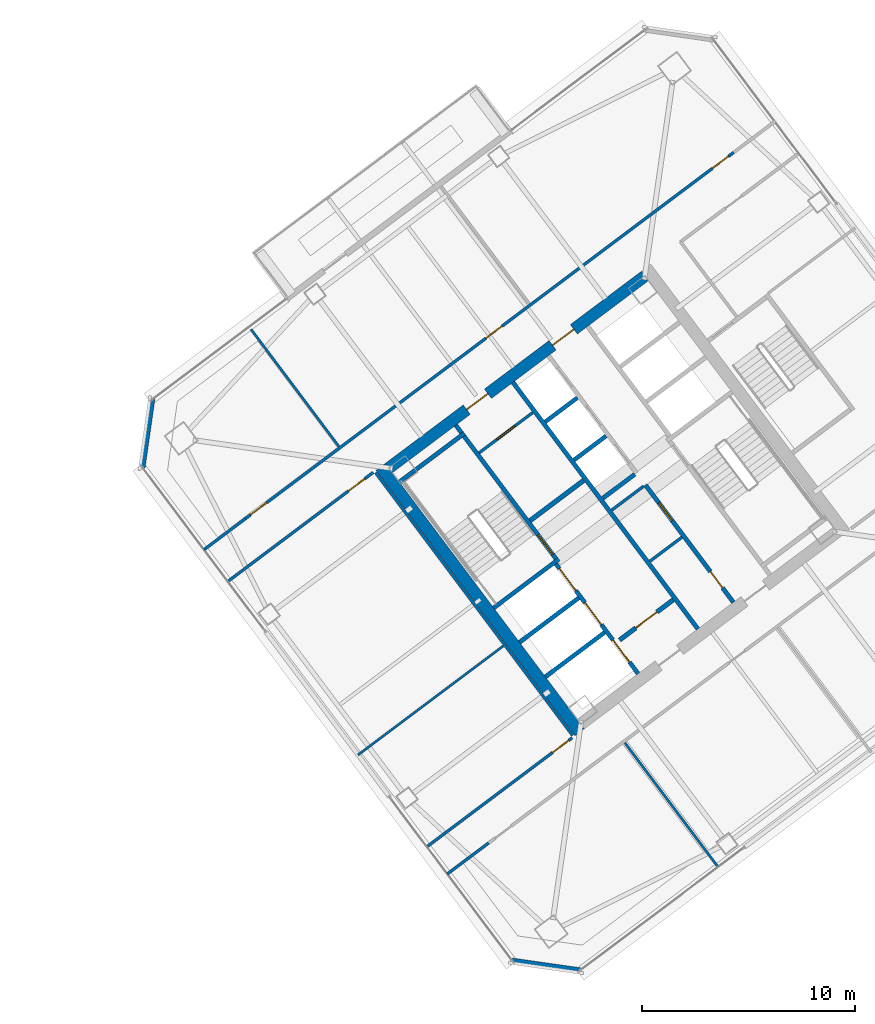
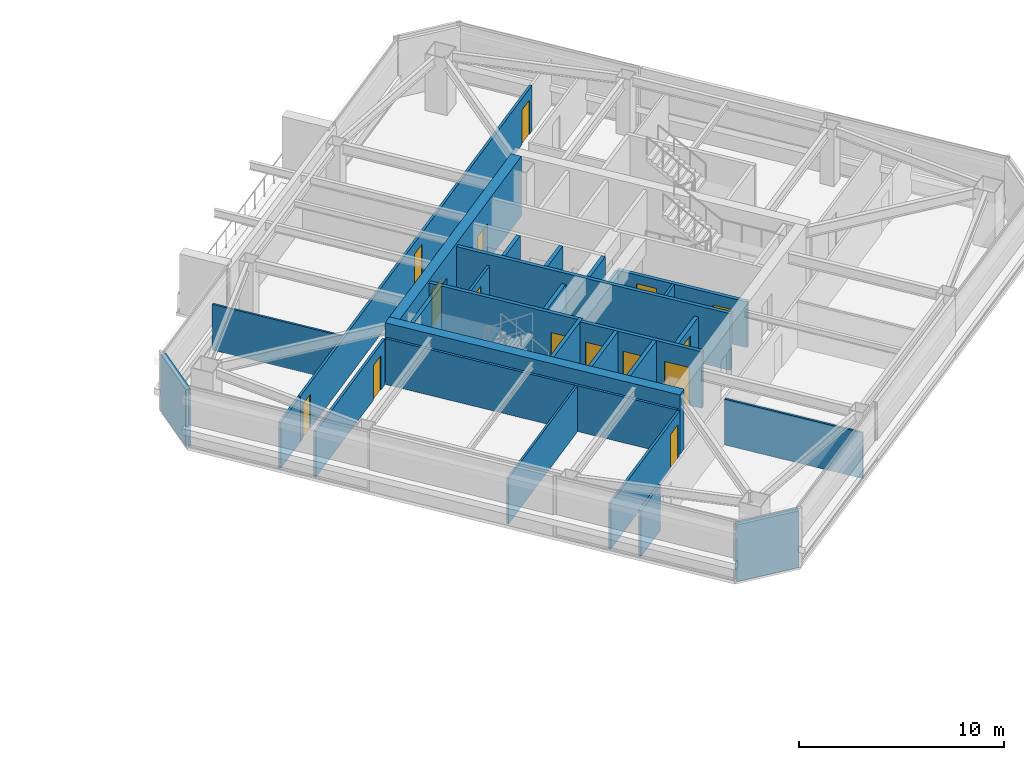
# One storey, part 33 of 41: 29 walls, 15 doors, 15 openings.
"""IFC4 building model written with IfcOpenShell, lengths in metres."""

from ifc_helpers import new_model, si_unit, direction, frame, frame_2d, origin, place, context, subcontext, project, spatial, rectangle, extrude, material, layer, layer_set, type_object, element, fill, save


model = new_model("IFC4")

# Units and contexts
model_context = context("Model", 3, precision=1e-05, world=origin(), true_north=direction((0.0, 1.0)))
body_context = subcontext(model_context, "Body", "Model", "MODEL_VIEW")
ifc_project = project(units=[si_unit("LENGTHUNIT", "METRE"), si_unit("AREAUNIT", "SQUARE_METRE"), si_unit("VOLUMEUNIT", "CUBIC_METRE"), si_unit("PLANEANGLEUNIT", "RADIAN"), si_unit("MASSUNIT", "GRAM", prefix="KILO")], contexts=[model_context])

# Site, building, storey
site_placement = place(None, origin())
site = spatial("IfcSite", under=ifc_project, at=site_placement, CompositionType="ELEMENT")
building_placement = place(site_placement, origin())
building = spatial("IfcBuilding", under=site, at=building_placement, Name="Tashvorn Skyway Center", CompositionType="ELEMENT")
storey_placement = place(building_placement, frame((0.0, 0.0, 192.5)))
storey = spatial("IfcBuildingStorey", under=building, at=storey_placement, Name="L52", CompositionType="ELEMENT", Elevation=192.5)

# Wall
ifc_material_1 = material(Name="Concrete C60/75", Category="concrete")
ifc_layer_1 = layer(ifc_material_1, 0.550048828125)
ifc_layer_set_1 = layer_set([ifc_layer_1], Name="Concrete C60/75")
wall_type_1 = type_object("IfcWallType", Name="WALL-CORE-550", PredefinedType="SHEAR", material=ifc_layer_set_1)
wall_1_placement = place(storey_placement, frame((112.43603515625, 21.076904296875, 0.0), z_axis=(0.0, 0.0, 1.0), x_axis=(-0.600005007985, 0.799996243986, 0.0)))
element("IfcWall", 1, at=wall_1_placement, inside=storey, type_object=wall_type_1, Name="Tower 2 L52 West Core Shear Wall", PredefinedType="SHEAR", context=body_context, shape_type="SweptSolid", body=[
    extrude(rectangle(XDim=15.60009765625, YDim=0.550048828125, at=frame_2d((7.800048828125, 0.0))), origin(), (0.0, 0.0, 1.0), 3.550048828125),
])

# Wall, openings, doors
wall_2_placement = place(storey_placement, frame((103.4609375, 33.501953125, 0.0), z_axis=(0.0, 0.0, 1.0), x_axis=(0.799998054672, 0.600002593761, 0.0)))
wall_2 = element("IfcWall", 2, at=wall_2_placement, inside=storey, type_object=wall_type_1, Name="Tower 2 L52 North Core Shear Wall", PredefinedType="SHEAR", context=body_context, shape_type="SweptSolid", body=[
    extrude(rectangle(XDim=15.06005859375, YDim=0.550048828125, at=frame_2d((7.530029296875, 0.0))), origin(), (0.0, 0.0, 1.0), 3.550048828125),
])
opening_1_placement = place(wall_2_placement, frame((4.580078125, 0.0, 0.0)))
opening_1 = element("IfcOpeningElement", 3, at=opening_1_placement, cuts=wall_2, Name="Opening D-FFL-1250", PredefinedType="OPENING", context=body_context, shape_type="SweptSolid", body=[
    extrude(rectangle(XDim=1.25, YDim=2.25, at=frame_2d((0.625, 1.125))), frame((0.0, 0.284912109375, 0.0), z_axis=(0.0, -1.0, 0.0), x_axis=(1.0, 0.0, 0.0)), (0.0, 0.0, 1.0), 0.570068359375),
])
opening_2_placement = place(wall_2_placement, frame((9.6298828125, 0.0, 0.0)))
opening_2 = element("IfcOpeningElement", 4, at=opening_2_placement, cuts=wall_2, Name="Opening D-FFL-1250", PredefinedType="OPENING", context=body_context, shape_type="SweptSolid", body=[
    extrude(rectangle(XDim=1.25, YDim=2.25, at=frame_2d((0.625, 1.125))), frame((0.0, 0.284912109375, 0.0), z_axis=(0.0, -1.0, 0.0), x_axis=(1.0, 0.0, 0.0)), (0.0, 0.0, 1.0), 0.570068359375),
])
ifc_material_2 = material(Name="Hollow galvanized steel fire door assembly", Category="steel")
door_type_1 = type_object("IfcDoorType", Name="DOOR-FFL-1250", OperationType="NOTDEFINED", PredefinedType="DOOR", material=ifc_material_2)
door_1_placement = place(opening_1_placement, origin())
door_1 = element("IfcDoor", 5, at=door_1_placement, inside=storey, type_object=door_type_1, Name="Tower 2 L52 Core North Service Lobby Door", OperationType="SINGLE_SWING_LEFT", OverallHeight=2.25, OverallWidth=1.25, PredefinedType="DOOR", context=body_context, shape_type="SweptSolid", body=[
    extrude(rectangle(XDim=1.25, YDim=2.25, at=frame_2d((0.625, 1.125))), frame((0.0, 0.02490234375, 0.0), z_axis=(0.0, -1.0, 0.0), x_axis=(1.0, 0.0, 0.0)), (0.0, 0.0, 1.0), 0.050048828125),
])
fill(opening_1, door_1)
door_2_placement = place(opening_2_placement, origin())
door_2 = element("IfcDoor", 6, at=door_2_placement, inside=storey, type_object=door_type_1, Name="Tower 2 L52 Core North Lift Lobby Door", OperationType="SINGLE_SWING_RIGHT", OverallHeight=2.25, OverallWidth=1.25, PredefinedType="DOOR", context=body_context, shape_type="SweptSolid", body=[
    extrude(rectangle(XDim=1.25, YDim=2.25, at=frame_2d((0.625, 1.125))), frame((0.0, 0.02490234375, 0.0), z_axis=(0.0, -1.0, 0.0), x_axis=(1.0, 0.0, 0.0)), (0.0, 0.0, 1.0), 0.050048828125),
])
fill(opening_2, door_2)

# Walls
ifc_material_3 = material(Name="Precast concrete C40/50", Category="concrete")
ifc_layer_2 = layer(ifc_material_3, 0.280029296875)
ifc_layer_set_2 = layer_set([ifc_layer_2], Name="Precast concrete C40/50")
wall_type_2 = type_object("IfcWallType", Name="WALL-EXT-280", PredefinedType="SOLIDWALL", material=ifc_layer_set_2)
for number, where, z_axis, x_axis, name in (
    (7, (112.47998046875, 9.860107421875, 0.0), (0.0, 0.0, 1.0), (-0.989950994782, 0.141410847992, 0.0), "Tower 2 L52 SW Precast Chamfer Wall"),
    (8, (91.860107421875, 33.52001953125, 0.0), (0.0, 0.0, 1.0), (0.141410847992, 0.989950994782, 0.0), "Tower 2 L52 NW Precast Chamfer Wall"),
):
    element("IfcWall", number, at=place(storey_placement, frame(where, z_axis=z_axis, x_axis=x_axis)), inside=storey, type_object=wall_type_2, Name=name, PredefinedType="SOLIDWALL", context=body_context, shape_type="SweptSolid", body=[
        extrude(rectangle(XDim=3.252685546875, YDim=0.280029296875, at=frame_2d((1.62646484375, 0.0))), origin(), (0.0, 0.0, 1.0), 3.3701171875),
    ])
ifc_material_4 = material(Name="Concrete C40/50", Category="concrete")
ifc_layer_3 = layer(ifc_material_4, 0.219970703125)
ifc_layer_set_3 = layer_set([ifc_layer_3], Name="Concrete C40/50")
wall_type_3 = type_object("IfcWallType", Name="WALL-FFL-220", PredefinedType="SOLIDWALL", material=ifc_layer_set_3)
wall_3_placement = place(storey_placement, frame((110.10400390625, 31.028076171875, 0.0), z_axis=(0.0, 0.0, 1.0), x_axis=(0.800018601094, 0.59997519774, 0.0)))
element("IfcWall", 9, at=wall_3_placement, inside=storey, type_object=wall_type_3, Name="Tower 2 L52 Firefighting Lobby North Wall", PredefinedType="SOLIDWALL", context=body_context, shape_type="SweptSolid", body=[
    extrude(rectangle(XDim=3.14990234375, YDim=0.219970703125, at=frame_2d((1.574951171875, 0.0))), origin(), (0.0, 0.0, 1.0), 2.722900390625),
])

# Wall, opening, door
wall_4_placement = place(storey_placement, frame((114.31591796875, 25.412109375, 0.0), z_axis=(0.0, 0.0, 1.0), x_axis=(0.800018601094, 0.59997519774, 0.0)))
wall_4 = element("IfcWall", 10, at=wall_4_placement, inside=storey, type_object=wall_type_3, Name="Tower 2 L52 Firefighting Lobby South Wall", PredefinedType="SOLIDWALL", context=body_context, shape_type="SweptSolid", body=[
    extrude(rectangle(XDim=3.14990234375, YDim=0.219970703125, at=frame_2d((1.574951171875, 0.0))), origin(), (0.0, 0.0, 1.0), 2.722900390625),
])
opening_3_placement = place(wall_4_placement, frame((0.949951171875, 0.0, 0.0)))
opening_3 = element("IfcOpeningElement", 11, at=opening_3_placement, cuts=wall_4, Name="Opening D-FFL-1250", PredefinedType="OPENING", context=body_context, shape_type="SweptSolid", body=[
    extrude(rectangle(XDim=1.25, YDim=2.25, at=frame_2d((0.625, 1.125))), frame((0.0, 0.119873046875, 0.0), z_axis=(0.0, -1.0, 0.0), x_axis=(1.0, 0.0, 0.0)), (0.0, 0.0, 1.0), 0.239990234375),
])
door_3_placement = place(opening_3_placement, origin())
door_3 = element("IfcDoor", 12, at=door_3_placement, inside=storey, type_object=door_type_1, Name="Tower 2 L52 Firefighting Lobby Egress Door", OperationType="SINGLE_SWING_LEFT", OverallHeight=2.25, OverallWidth=1.25, PredefinedType="DOOR", context=body_context, shape_type="SweptSolid", body=[
    extrude(rectangle(XDim=1.25, YDim=2.25, at=frame_2d((0.625, 1.125))), frame((0.0, 0.02490234375, 0.0), z_axis=(0.0, -1.0, 0.0), x_axis=(1.0, 0.0, 0.0)), (0.0, 0.0, 1.0), 0.050048828125),
])
fill(opening_3, door_3)

# Walls
ifc_material_5 = material(Name="Gypsum board on cold-formed steel stud framing", Category="steel")
ifc_layer_4 = layer(ifc_material_5, 0.110107421875)
ifc_layer_set_4 = layer_set([ifc_layer_4], Name="Gypsum board on cold-formed steel stud framing")
wall_type_4 = type_object("IfcWallType", Name="WALL-PART-110", PredefinedType="PARTITIONING", material=ifc_layer_set_4)
wall_5_placement = place(storey_placement, frame((101.110107421875, 34.52001953125, 0.0), z_axis=(0.0, 0.0, 1.0), x_axis=(-0.600022710417, 0.799982966683, 0.0)))
element("IfcWall", 13, at=wall_5_placement, inside=storey, type_object=wall_type_4, Name="Tower 2 L52 North Suite Partition 1", PredefinedType="PARTITIONING", context=body_context, shape_type="SweptSolid", body=[
    extrude(rectangle(XDim=6.880126953125, YDim=0.110107421875, at=frame_2d((3.43994140625, 0.0))), origin(), (0.0, 0.0, 1.0), 2.722900390625),
])
wall_6_placement = place(storey_placement, frame((118.947998046875, 14.736083984375, 0.0), z_axis=(0.0, 0.0, 1.0), x_axis=(-0.6, 0.8, 0.0)))
element("IfcWall", 14, at=wall_6_placement, inside=storey, type_object=wall_type_4, Name="Tower 2 L52 South Suite Partition 1", PredefinedType="PARTITIONING", context=body_context, shape_type="SweptSolid", body=[
    extrude(rectangle(XDim=7.2998046875, YDim=0.110107421875, at=frame_2d((3.64990234375, 0.0))), origin(), (0.0, 0.0, 1.0), 2.722900390625),
])
wall_7_placement = place(storey_placement, frame((102.01611328125, 20.011962890625, 0.0), z_axis=(0.0, 0.0, 1.0), x_axis=(0.799989708052, 0.600013722352, 0.0)))
element("IfcWall", 15, at=wall_7_placement, inside=storey, type_object=wall_type_4, Name="Tower 2 L52 West Mid Partition", PredefinedType="PARTITIONING", context=body_context, shape_type="SweptSolid", body=[
    extrude(rectangle(XDim=8.539794921875, YDim=0.110107421875, at=frame_2d((4.27001953125, 0.0))), origin(), (0.0, 0.0, 1.0), 2.722900390625),
])

# Wall, openings, doors
ifc_layer_5 = layer(ifc_material_5, 0.135009765625)
ifc_layer_set_5 = layer_set([ifc_layer_5], Name="Gypsum board on cold-formed steel stud framing")
wall_type_5 = type_object("IfcWallType", Name="WALL-PART-135", PredefinedType="PARTITIONING", material=ifc_layer_set_5)
wall_8_placement = place(storey_placement, frame((96.718017578125, 31.1259765625, 0.0), z_axis=(0.0, 0.0, 1.0), x_axis=(0.8, 0.6, 0.0)))
wall_8 = element("IfcWall", 16, at=wall_8_placement, inside=storey, type_object=wall_type_5, Name="Tower 2 L52 North Suite Wall", PredefinedType="PARTITIONING", context=body_context, shape_type="SweptSolid", body=[
    extrude(rectangle(XDim=28.699951171875, YDim=0.135009765625, at=frame_2d((14.35009765625, 0.0))), origin(), (0.0, 0.0, 1.0), 2.722900390625),
])
opening_4_placement = place(wall_8_placement, frame((0.300048828125, 0.0, 0.0)))
opening_4 = element("IfcOpeningElement", 17, at=opening_4_placement, cuts=wall_8, Name="Opening D-INT-950", PredefinedType="OPENING", context=body_context, shape_type="SweptSolid", body=[
    extrude(rectangle(XDim=0.949951171875, YDim=2.050048828125, at=frame_2d((0.47509765625, 1.02490234375))), frame((0.0, 0.077392578125, 0.0), z_axis=(0.0, -1.0, 0.0), x_axis=(1.0, 0.0, 0.0)), (0.0, 0.0, 1.0), 0.155029296875),
])
opening_5_placement = place(wall_8_placement, frame((14.1376953125, 0.0, 0.0)))
opening_5 = element("IfcOpeningElement", 18, at=opening_5_placement, cuts=wall_8, Name="Opening D-INT-950", PredefinedType="OPENING", context=body_context, shape_type="SweptSolid", body=[
    extrude(rectangle(XDim=0.949951171875, YDim=2.050048828125, at=frame_2d((0.47509765625, 1.02490234375))), frame((0.0, 0.077392578125, 0.0), z_axis=(0.0, -1.0, 0.0), x_axis=(1.0, 0.0, 0.0)), (0.0, 0.0, 1.0), 0.155029296875),
])
opening_6_placement = place(wall_8_placement, frame((27.449951171875, 0.0, 0.0)))
opening_6 = element("IfcOpeningElement", 19, at=opening_6_placement, cuts=wall_8, Name="Opening D-INT-950", PredefinedType="OPENING", context=body_context, shape_type="SweptSolid", body=[
    extrude(rectangle(XDim=0.949951171875, YDim=2.050048828125, at=frame_2d((0.47509765625, 1.02490234375))), frame((0.0, 0.077392578125, 0.0), z_axis=(0.0, -1.0, 0.0), x_axis=(1.0, 0.0, 0.0)), (0.0, 0.0, 1.0), 0.155029296875),
])
ifc_material_6 = material(Name="Solid-core architectural oak veneer door")
door_type_2 = type_object("IfcDoorType", Name="DOOR-INT-950", OperationType="NOTDEFINED", PredefinedType="DOOR", material=ifc_material_6)
door_4_placement = place(opening_4_placement, origin())
door_4 = element("IfcDoor", 20, at=door_4_placement, inside=storey, type_object=door_type_2, Name="Tower 2 L52 Executive Suite Door", OperationType="SINGLE_SWING_RIGHT", OverallHeight=2.050048828125, OverallWidth=0.949951171875, PredefinedType="DOOR", context=body_context, shape_type="SweptSolid", body=[
    extrude(rectangle(XDim=0.949951171875, YDim=2.050048828125, at=frame_2d((0.47509765625, 1.02490234375))), frame((0.0, 0.02490234375, 0.0), z_axis=(0.0, -1.0, 0.0), x_axis=(1.0, 0.0, 0.0)), (0.0, 0.0, 1.0), 0.050048828125),
])
fill(opening_4, door_4)
door_5_placement = place(opening_5_placement, origin())
door_5 = element("IfcDoor", 21, at=door_5_placement, inside=storey, type_object=door_type_2, Name="Tower 2 L52 Executive Suite Door", OperationType="SINGLE_SWING_LEFT", OverallHeight=2.050048828125, OverallWidth=0.949951171875, PredefinedType="DOOR", context=body_context, shape_type="SweptSolid", body=[
    extrude(rectangle(XDim=0.949951171875, YDim=2.050048828125, at=frame_2d((0.47509765625, 1.02490234375))), frame((0.0, 0.02490234375, 0.0), z_axis=(0.0, -1.0, 0.0), x_axis=(1.0, 0.0, 0.0)), (0.0, 0.0, 1.0), 0.050048828125),
])
fill(opening_5, door_5)
door_6_placement = place(opening_6_placement, origin())
door_6 = element("IfcDoor", 22, at=door_6_placement, inside=storey, type_object=door_type_2, Name="Tower 2 L52 Boardroom Door", OperationType="SINGLE_SWING_RIGHT", OverallHeight=2.050048828125, OverallWidth=0.949951171875, PredefinedType="DOOR", context=body_context, shape_type="SweptSolid", body=[
    extrude(rectangle(XDim=0.949951171875, YDim=2.050048828125, at=frame_2d((0.47509765625, 1.02490234375))), frame((0.0, 0.02490234375, 0.0), z_axis=(0.0, -1.0, 0.0), x_axis=(1.0, 0.0, 0.0)), (0.0, 0.0, 1.0), 0.050048828125),
])
fill(opening_6, door_6)

# Walls
wall_9_placement = place(storey_placement, frame((94.77392578125, 29.66796875, 0.0), z_axis=(0.0, 0.0, 1.0), x_axis=(0.800012055778, 0.599983925293, 0.0)))
element("IfcWall", 23, at=wall_9_placement, inside=storey, type_object=wall_type_5, Name="Tower 2 L52 North-West Suite South Wall", PredefinedType="PARTITIONING", context=body_context, shape_type="SweptSolid", body=[
    extrude(rectangle(XDim=2.43017578125, YDim=0.135009765625, at=frame_2d((1.215087890625, 0.0))), origin(), (0.0, 0.0, 1.0), 2.722900390625),
])
wall_10_placement = place(storey_placement, frame((106.216064453125, 14.412109375, 0.0), z_axis=(0.0, 0.0, 1.0), x_axis=(0.799975885537, 0.600032151272, 0.0)))
element("IfcWall", 24, at=wall_10_placement, inside=storey, type_object=wall_type_5, Name="Tower 2 L52 South-West Suite North Wall", PredefinedType="PARTITIONING", context=body_context, shape_type="SweptSolid", body=[
    extrude(rectangle(XDim=2.429931640625, YDim=0.135009765625, at=frame_2d((1.21484375, 0.0))), origin(), (0.0, 0.0, 1.0), 2.722900390625),
])
wall_11_placement = place(storey_placement, frame((112.10400390625, 20.927978515625, 0.0), z_axis=(0.0, 0.0, 1.0), x_axis=(-0.599994940075, 0.800003794918, 0.0)))
element("IfcWall", 25, at=wall_11_placement, inside=storey, type_object=wall_type_5, Name="Tower 2 L52 West Inner Suite Wall", PredefinedType="PARTITIONING", context=body_context, shape_type="SweptSolid", body=[
    extrude(rectangle(XDim=15.43994140625, YDim=0.135009765625, at=frame_2d((7.719970703125, 0.0))), origin(), (0.0, 0.0, 1.0), 2.722900390625),
])

# Wall, opening, door
wall_12_placement = place(storey_placement, frame((102.72802734375, 33.2958984375, 0.0), z_axis=(0.0, 0.0, 1.0), x_axis=(-0.800013722153, -0.59998170336, 0.0)))
wall_12 = element("IfcWall", 26, at=wall_12_placement, inside=storey, type_object=wall_type_5, Name="Tower 2 L52 West Suite North Wall", PredefinedType="PARTITIONING", context=body_context, shape_type="SweptSolid", body=[
    extrude(rectangle(XDim=8.539794921875, YDim=0.135009765625, at=frame_2d((4.27001953125, 0.0))), origin(), (0.0, 0.0, 1.0), 2.722900390625),
])
opening_7_placement = place(wall_12_placement, frame((0.5, 0.0, 0.0)))
opening_7 = element("IfcOpeningElement", 27, at=opening_7_placement, cuts=wall_12, Name="Opening D-INT-950", PredefinedType="OPENING", context=body_context, shape_type="SweptSolid", body=[
    extrude(rectangle(XDim=0.949951171875, YDim=2.050048828125, at=frame_2d((0.47509765625, 1.02490234375))), frame((0.0, 0.077392578125, 0.0), z_axis=(0.0, -1.0, 0.0), x_axis=(1.0, 0.0, 0.0)), (0.0, 0.0, 1.0), 0.155029296875),
])
door_7_placement = place(opening_7_placement, origin())
door_7 = element("IfcDoor", 28, at=door_7_placement, inside=storey, type_object=door_type_2, Name="Tower 2 L52 Security Control Room Door", OperationType="SINGLE_SWING_RIGHT", OverallHeight=2.050048828125, OverallWidth=0.949951171875, PredefinedType="DOOR", context=body_context, shape_type="SweptSolid", body=[
    extrude(rectangle(XDim=0.949951171875, YDim=2.050048828125, at=frame_2d((0.47509765625, 1.02490234375))), frame((0.0, 0.02490234375, 0.0), z_axis=(0.0, -1.0, 0.0), x_axis=(1.0, 0.0, 0.0)), (0.0, 0.0, 1.0), 0.050048828125),
])
fill(opening_7, door_7)

wall_13_placement = place(storey_placement, frame((105.256103515625, 15.69189453125, 0.0), z_axis=(0.0, 0.0, 1.0), x_axis=(0.799989708052, 0.600013722352, 0.0)))
wall_13 = element("IfcWall", 29, at=wall_13_placement, inside=storey, type_object=wall_type_5, Name="Tower 2 L52 West Suite South Wall", PredefinedType="PARTITIONING", context=body_context, shape_type="SweptSolid", body=[
    extrude(rectangle(XDim=8.539794921875, YDim=0.135009765625, at=frame_2d((4.27001953125, 0.0))), origin(), (0.0, 0.0, 1.0), 2.722900390625),
])
opening_8_placement = place(wall_13_placement, frame((7.3798828125, 0.0, 0.0)))
opening_8 = element("IfcOpeningElement", 30, at=opening_8_placement, cuts=wall_13, Name="Opening D-INT-950", PredefinedType="OPENING", context=body_context, shape_type="SweptSolid", body=[
    extrude(rectangle(XDim=0.949951171875, YDim=2.050048828125, at=frame_2d((0.47509765625, 1.02490234375))), frame((0.0, 0.077392578125, 0.0), z_axis=(0.0, -1.0, 0.0), x_axis=(1.0, 0.0, 0.0)), (0.0, 0.0, 1.0), 0.155029296875),
])
door_8_placement = place(opening_8_placement, origin())
door_8 = element("IfcDoor", 31, at=door_8_placement, inside=storey, type_object=door_type_2, Name="Tower 2 L52 Public Restroom Door", OperationType="SINGLE_SWING_LEFT", OverallHeight=2.050048828125, OverallWidth=0.949951171875, PredefinedType="DOOR", context=body_context, shape_type="SweptSolid", body=[
    extrude(rectangle(XDim=0.949951171875, YDim=2.050048828125, at=frame_2d((0.47509765625, 1.02490234375))), frame((0.0, 0.02490234375, 0.0), z_axis=(0.0, -1.0, 0.0), x_axis=(1.0, 0.0, 0.0)), (0.0, 0.0, 1.0), 0.050048828125),
])
fill(opening_8, door_8)

ifc_layer_6 = layer(ifc_material_5, 0.135009765625)
ifc_layer_set_6 = layer_set([ifc_layer_6], Name="Gypsum board on cold-formed steel stud framing")
wall_type_6 = type_object("IfcWallType", Name="WALL-RATED-135", PredefinedType="PARTITIONING", material=ifc_layer_set_6)
wall_14_placement = place(storey_placement, frame((107.7099609375, 34.219970703125, 0.0), z_axis=(0.0, 0.0, 1.0), x_axis=(0.799981399002, 0.60002480053, 0.0)))
wall_14 = element("IfcWall", 32, at=wall_14_placement, inside=storey, type_object=wall_type_6, Name="Tower 2 L52 Core Service Lobby Wall", PredefinedType="PARTITIONING", context=body_context, shape_type="SweptSolid", body=[
    extrude(rectangle(XDim=3.150146484375, YDim=0.135009765625, at=frame_2d((1.5751953125, 0.0))), origin(), (0.0, 0.0, 1.0), 2.722900390625),
])
opening_9_placement = place(wall_14_placement, frame((1.050048828125, 0.0, 0.0)))
opening_9 = element("IfcOpeningElement", 33, at=opening_9_placement, cuts=wall_14, Name="Opening D-RT-1050", PredefinedType="OPENING", context=body_context, shape_type="SweptSolid", body=[
    extrude(rectangle(XDim=1.050048828125, YDim=2.199951171875, at=frame_2d((0.52490234375, 1.10009765625))), frame((0.0, 0.077392578125, 0.0), z_axis=(0.0, -1.0, 0.0), x_axis=(1.0, 0.0, 0.0)), (0.0, 0.0, 1.0), 0.155029296875),
])
door_type_3 = type_object("IfcDoorType", Name="DOOR-RATED-1050", OperationType="NOTDEFINED", PredefinedType="DOOR", material=ifc_material_2)
door_9_placement = place(opening_9_placement, origin())
door_9 = element("IfcDoor", 34, at=door_9_placement, inside=storey, type_object=door_type_3, Name="Tower 2 L52 Core Accessible WC Door", OperationType="SINGLE_SWING_LEFT", OverallHeight=2.199951171875, OverallWidth=1.050048828125, PredefinedType="DOOR", context=body_context, shape_type="SweptSolid", body=[
    extrude(rectangle(XDim=1.050048828125, YDim=2.199951171875, at=frame_2d((0.52490234375, 1.10009765625))), frame((0.0, 0.02490234375, 0.0), z_axis=(0.0, -1.0, 0.0), x_axis=(1.0, 0.0, 0.0)), (0.0, 0.0, 1.0), 0.050048828125),
])
fill(opening_9, door_9)

# Walls
for number, where, z_axis, x_axis, name in (
    (35, (113.946044921875, 31.52197265625, 0.0), (0.0, 0.0, 1.0), (0.8, 0.6, 0.0), "Tower 2 L52 Core Room Partition"),
    (36, (115.74609375, 29.1220703125, 0.0), (0.0, 0.0, 1.0), (0.8, 0.6, 0.0), "Tower 2 L52 Freed Core Partition"),
):
    element("IfcWall", number, at=place(storey_placement, frame(where, z_axis=z_axis, x_axis=x_axis)), inside=storey, type_object=wall_type_6, Name=name, PredefinedType="PARTITIONING", context=body_context, shape_type="SweptSolid", body=[
        extrude(rectangle(XDim=1.8798828125, YDim=0.135009765625, at=frame_2d((0.93994140625, 0.0))), origin(), (0.0, 0.0, 1.0), 2.722900390625),
    ])
ifc_layer_7 = layer(ifc_material_4, 0.199951171875)
ifc_layer_set_7 = layer_set([ifc_layer_7], Name="Concrete C40/50")
wall_type_7 = type_object("IfcWallType", Name="WALL-SHAFT-200", PredefinedType="SOLIDWALL", material=ifc_layer_set_7)
for number, where, z_axis, x_axis, name in (
    (37, (110.825927734375, 23.681884765625, 0.0), (0.0, 0.0, 1.0), (0.8, 0.6, 0.0), "Tower 2 L52 FSAE Shaft Divider"),
    (38, (109.60791015625, 25.305908203125, 0.0), (0.0, 0.0, 1.0), (0.8, 0.6, 0.0), "Tower 2 L52 FSAE Shaft Divider"),
):
    element("IfcWall", number, at=place(storey_placement, frame(where, z_axis=z_axis, x_axis=x_axis)), inside=storey, type_object=wall_type_7, Name=name, PredefinedType="SOLIDWALL", context=body_context, shape_type="SweptSolid", body=[
        extrude(rectangle(XDim=3.480224609375, YDim=0.199951171875, at=frame_2d((1.740234375, 0.0))), origin(), (0.0, 0.0, 1.0), 3.3701171875),
    ])

# Wall, openings, doors
wall_15_placement = place(storey_placement, frame((119.669921875, 27.18994140625, 0.0), z_axis=(0.0, 0.0, 1.0), x_axis=(-0.599988677396, 0.800008491828, 0.0)))
wall_15 = element("IfcWall", 39, at=wall_15_placement, inside=storey, type_object=wall_type_7, Name="Tower 2 L52 Low-Rise Core Wall", PredefinedType="SOLIDWALL", context=body_context, shape_type="SweptSolid", body=[
    extrude(rectangle(XDim=6.89990234375, YDim=0.199951171875, at=frame_2d((3.449951171875, 0.0))), origin(), (0.0, 0.0, 1.0), 2.722900390625),
])
opening_10_placement = place(wall_15_placement, frame((0.85009765625, 0.0, 0.0)))
opening_10 = element("IfcOpeningElement", 40, at=opening_10_placement, cuts=wall_15, Name="Opening D-RT-950", PredefinedType="OPENING", context=body_context, shape_type="SweptSolid", body=[
    extrude(rectangle(XDim=0.949951171875, YDim=2.050048828125, at=frame_2d((0.47509765625, 1.02490234375))), frame((0.0, 0.10986328125, 0.0), z_axis=(0.0, -1.0, 0.0), x_axis=(1.0, 0.0, 0.0)), (0.0, 0.0, 1.0), 0.219970703125),
])
opening_11_placement = place(wall_15_placement, frame((4.800048828125, 0.0, 0.0)))
opening_11 = element("IfcOpeningElement", 41, at=opening_11_placement, cuts=wall_15, Name="Opening D-RT-1050", PredefinedType="OPENING", context=body_context, shape_type="SweptSolid", body=[
    extrude(rectangle(XDim=1.050048828125, YDim=2.199951171875, at=frame_2d((0.52490234375, 1.10009765625))), frame((0.0, 0.10986328125, 0.0), z_axis=(0.0, -1.0, 0.0), x_axis=(1.0, 0.0, 0.0)), (0.0, 0.0, 1.0), 0.219970703125),
])
door_10_placement = place(opening_11_placement, origin())
door_10 = element("IfcDoor", 42, at=door_10_placement, inside=storey, type_object=door_type_3, Name="Tower 2 L52 Freed Core Room Door", OperationType="SINGLE_SWING_RIGHT", OverallHeight=2.199951171875, OverallWidth=1.050048828125, PredefinedType="DOOR", context=body_context, shape_type="SweptSolid", body=[
    extrude(rectangle(XDim=1.050048828125, YDim=2.199951171875, at=frame_2d((0.52490234375, 1.10009765625))), frame((0.0, 0.02490234375, 0.0), z_axis=(0.0, -1.0, 0.0), x_axis=(1.0, 0.0, 0.0)), (0.0, 0.0, 1.0), 0.050048828125),
])
fill(opening_11, door_10)
door_type_4 = type_object("IfcDoorType", Name="DOOR-RATED-950", OperationType="NOTDEFINED", PredefinedType="DOOR", material=ifc_material_2)
door_11_placement = place(opening_10_placement, origin())
door_11 = element("IfcDoor", 43, at=door_11_placement, inside=storey, type_object=door_type_4, Name="Tower 2 L52 Core Print Room Door", OperationType="SINGLE_SWING_LEFT", OverallHeight=2.050048828125, OverallWidth=0.949951171875, PredefinedType="DOOR", context=body_context, shape_type="SweptSolid", body=[
    extrude(rectangle(XDim=0.949951171875, YDim=2.050048828125, at=frame_2d((0.47509765625, 1.02490234375))), frame((0.0, 0.02490234375, 0.0), z_axis=(0.0, -1.0, 0.0), x_axis=(1.0, 0.0, 0.0)), (0.0, 0.0, 1.0), 0.050048828125),
])
fill(opening_10, door_11)

# Walls
wall_16_placement = place(storey_placement, frame((113.52587890625, 32.08203125, 0.0), z_axis=(0.0, 0.0, 1.0), x_axis=(0.800046745961, 0.599937666993, 0.0)))
element("IfcWall", 44, at=wall_16_placement, inside=storey, type_object=wall_type_7, Name="Tower 2 L52 Mid-Rise Shaft Divider", PredefinedType="SOLIDWALL", context=body_context, shape_type="SweptSolid", body=[
    extrude(rectangle(XDim=1.880126953125, YDim=0.199951171875, at=frame_2d((0.93994140625, 0.0))), origin(), (0.0, 0.0, 1.0), 3.3701171875),
])
wall_17_placement = place(storey_placement, frame((112.176025390625, 33.882080078125, 0.0), z_axis=(0.0, 0.0, 1.0), x_axis=(0.8, 0.6, 0.0)))
element("IfcWall", 45, at=wall_17_placement, inside=storey, type_object=wall_type_7, Name="Tower 2 L52 Mid-Rise Shaft Divider", PredefinedType="SOLIDWALL", context=body_context, shape_type="SweptSolid", body=[
    extrude(rectangle(XDim=1.8798828125, YDim=0.199951171875, at=frame_2d((0.93994140625, 0.0))), origin(), (0.0, 0.0, 1.0), 3.3701171875),
])
wall_18_placement = place(storey_placement, frame((110.825927734375, 35.681884765625, 0.0), z_axis=(0.0, 0.0, 1.0), x_axis=(0.799984418148, 0.600020775241, 0.0)))
element("IfcWall", 46, at=wall_18_placement, inside=storey, type_object=wall_type_7, Name="Tower 2 L52 Mid-Rise Shaft Divider", PredefinedType="SOLIDWALL", context=body_context, shape_type="SweptSolid", body=[
    extrude(rectangle(XDim=1.880126953125, YDim=0.199951171875, at=frame_2d((0.93994140625, 0.0))), origin(), (0.0, 0.0, 1.0), 3.3701171875),
])

# Wall, opening, door
ifc_layer_8 = layer(ifc_material_4, 0.199951171875)
ifc_layer_set_8 = layer_set([ifc_layer_8], Name="Concrete C40/50")
wall_type_8 = type_object("IfcWallType", Name="WALL-STSHF-200", PredefinedType="SHEAR", material=ifc_layer_set_8)
wall_19_placement = place(storey_placement, frame((111.43994140625, 29.080078125, 0.0), z_axis=(0.0, 0.0, 1.0), x_axis=(-0.59999029481, 0.8000072788, 0.0)))
wall_19 = element("IfcWall", 47, at=wall_19_placement, inside=storey, type_object=wall_type_8, Name="Tower 2 L52 Stair 1 Enclosure Wall", PredefinedType="SHEAR", context=body_context, shape_type="SweptSolid", body=[
    extrude(rectangle(XDim=8.0498046875, YDim=0.199951171875, at=frame_2d((4.02490234375, 0.0))), origin(), (0.0, 0.0, 1.0), 3.3701171875),
])
opening_12_placement = place(wall_19_placement, frame((0.449951171875, 0.0, 0.0)))
opening_12 = element("IfcOpeningElement", 48, at=opening_12_placement, cuts=wall_19, Name="Opening D-ST-1150", PredefinedType="OPENING", context=body_context, shape_type="SweptSolid", body=[
    extrude(rectangle(XDim=1.14990234375, YDim=2.199951171875, at=frame_2d((0.574951171875, 1.10009765625))), frame((0.0, 0.10986328125, 0.0), z_axis=(0.0, -1.0, 0.0), x_axis=(1.0, 0.0, 0.0)), (0.0, 0.0, 1.0), 0.219970703125),
])
door_type_5 = type_object("IfcDoorType", Name="DOOR-STAIR-1150", OperationType="NOTDEFINED", PredefinedType="DOOR", material=ifc_material_2)
door_12_placement = place(opening_12_placement, origin())
door_12 = element("IfcDoor", 49, at=door_12_placement, inside=storey, type_object=door_type_5, Name="Tower 2 L52 Exit Stair 1 Door", OperationType="SINGLE_SWING_RIGHT", OverallHeight=2.199951171875, OverallWidth=1.14990234375, PredefinedType="DOOR", context=body_context, shape_type="SweptSolid", body=[
    extrude(rectangle(XDim=1.14990234375, YDim=2.199951171875, at=frame_2d((0.574951171875, 1.10009765625))), frame((0.0, 0.02490234375, 0.0), z_axis=(0.0, -1.0, 0.0), x_axis=(1.0, 0.0, 0.0)), (0.0, 0.0, 1.0), 0.050048828125),
])
fill(opening_12, door_12)

# Walls
for number, where, z_axis, x_axis, name in (
    (50, (108.39599609375, 26.922119140625, 0.0), (0.0, 0.0, 1.0), (0.800015298837, 0.599979601008, 0.0), "Tower 2 L52 Stair 1 South Wall"),
    (51, (103.9560546875, 32.842041015625, 0.0), (0.0, 0.0, 1.0), (0.800015298837, 0.599979601008, 0.0), "Tower 2 L52 Stair 1 North Wall"),
):
    element("IfcWall", number, at=place(storey_placement, frame(where, z_axis=z_axis, x_axis=x_axis)), inside=storey, type_object=wall_type_8, Name=name, PredefinedType="SHEAR", context=body_context, shape_type="SweptSolid", body=[
        extrude(rectangle(XDim=3.829833984375, YDim=0.199951171875, at=frame_2d((1.9150390625, 0.0))), origin(), (0.0, 0.0, 1.0), 3.3701171875),
    ])
wall_20_placement = place(storey_placement, frame((117.998046875, 25.93603515625, 0.0), z_axis=(0.0, 0.0, 1.0), x_axis=(-0.600002693989, 0.799997979501, 0.0)))
element("IfcWall", 52, at=wall_20_placement, inside=storey, type_object=wall_type_8, Name="Tower 2 L52 Firefighting Lobby East Smoke Barrier", PredefinedType="SHEAR", context=body_context, shape_type="SweptSolid", body=[
    extrude(rectangle(XDim=14.499755859375, YDim=0.199951171875, at=frame_2d((7.25, 0.0))), origin(), (0.0, 0.0, 1.0), 3.3701171875),
])

# Wall, openings, doors
wall_21_placement = place(storey_placement, frame((115.18994140625, 23.830078125, 0.0), z_axis=(0.0, 0.0, 1.0), x_axis=(-0.599993943644, 0.800004542231, 0.0)))
wall_21 = element("IfcWall", 53, at=wall_21_placement, inside=storey, type_object=wall_type_8, Name="Tower 2 L52 FSAE and Goods Shaft Front Wall", PredefinedType="SHEAR", context=body_context, shape_type="SweptSolid", body=[
    extrude(rectangle(XDim=6.449951171875, YDim=0.199951171875, at=frame_2d((3.22509765625, 0.0))), origin(), (0.0, 0.0, 1.0), 3.3701171875),
])
opening_13_placement = place(wall_21_placement, frame((4.875, 0.0, 0.0)))
opening_13 = element("IfcOpeningElement", 54, at=opening_13_placement, cuts=wall_21, Name="Opening LD-FF-T2-1-L52", PredefinedType="OPENING", context=body_context, shape_type="SweptSolid", body=[
    extrude(rectangle(XDim=1.300048828125, YDim=2.25, at=frame_2d((0.64990234375, 1.125))), frame((0.0, 0.10986328125, 0.0), z_axis=(0.0, -1.0, 0.0), x_axis=(1.0, 0.0, 0.0)), (0.0, 0.0, 1.0), 0.219970703125),
])
opening_14_placement = place(wall_21_placement, frame((2.875, 0.0, 0.0)))
opening_14 = element("IfcOpeningElement", 55, at=opening_14_placement, cuts=wall_21, Name="Opening LD-FF-T2-2-L52", PredefinedType="OPENING", context=body_context, shape_type="SweptSolid", body=[
    extrude(rectangle(XDim=1.300048828125, YDim=2.25, at=frame_2d((0.64990234375, 1.125))), frame((0.0, 0.10986328125, 0.0), z_axis=(0.0, -1.0, 0.0), x_axis=(1.0, 0.0, 0.0)), (0.0, 0.0, 1.0), 0.219970703125),
])
opening_15_placement = place(wall_21_placement, frame((0.675048828125, 0.0, 0.0)))
opening_15 = element("IfcOpeningElement", 56, at=opening_15_placement, cuts=wall_21, Name="Opening LD-GD-T2-1-L52", PredefinedType="OPENING", context=body_context, shape_type="SweptSolid", body=[
    extrude(rectangle(XDim=1.300048828125, YDim=2.25, at=frame_2d((0.64990234375, 1.125))), frame((0.0, 0.10986328125, 0.0), z_axis=(0.0, -1.0, 0.0), x_axis=(1.0, 0.0, 0.0)), (0.0, 0.0, 1.0), 0.219970703125),
])
ifc_material_7 = material(Name="Stainless steel heavy-duty landing door", Category="steel")
door_type_6 = type_object("IfcDoorType", Name="DOOR-LIFT-1300", OperationType="SLIDING_TO_LEFT", PredefinedType="DOOR", material=ifc_material_7)
door_13_placement = place(opening_13_placement, origin())
door_13 = element("IfcDoor", 57, at=door_13_placement, inside=storey, type_object=door_type_6, Name="Lift FF-T2-1 L52 Landing Door", OperationType="SLIDING_TO_LEFT", OverallHeight=2.25, OverallWidth=1.300048828125, PredefinedType="DOOR", context=body_context, shape_type="SweptSolid", body=[
    extrude(rectangle(XDim=1.300048828125, YDim=2.25, at=frame_2d((0.64990234375, 1.125))), frame((0.0, 0.02490234375, 0.0), z_axis=(0.0, -1.0, 0.0), x_axis=(1.0, 0.0, 0.0)), (0.0, 0.0, 1.0), 0.050048828125),
])
fill(opening_13, door_13)
door_14_placement = place(opening_14_placement, origin())
door_14 = element("IfcDoor", 58, at=door_14_placement, inside=storey, type_object=door_type_6, Name="Lift FF-T2-2 L52 Landing Door", OperationType="SLIDING_TO_LEFT", OverallHeight=2.25, OverallWidth=1.300048828125, PredefinedType="DOOR", context=body_context, shape_type="SweptSolid", body=[
    extrude(rectangle(XDim=1.300048828125, YDim=2.25, at=frame_2d((0.64990234375, 1.125))), frame((0.0, 0.02490234375, 0.0), z_axis=(0.0, -1.0, 0.0), x_axis=(1.0, 0.0, 0.0)), (0.0, 0.0, 1.0), 0.050048828125),
])
fill(opening_14, door_14)
door_15_placement = place(opening_15_placement, origin())
door_15 = element("IfcDoor", 59, at=door_15_placement, inside=storey, type_object=door_type_6, Name="Lift GD-T2-1 L52 Landing Door", OperationType="SLIDING_TO_LEFT", OverallHeight=2.25, OverallWidth=1.300048828125, PredefinedType="DOOR", context=body_context, shape_type="SweptSolid", body=[
    extrude(rectangle(XDim=1.300048828125, YDim=2.25, at=frame_2d((0.64990234375, 1.125))), frame((0.0, 0.02490234375, 0.0), z_axis=(0.0, -1.0, 0.0), x_axis=(1.0, 0.0, 0.0)), (0.0, 0.0, 1.0), 0.050048828125),
])
fill(opening_15, door_15)

save(model, "model.ifc")
